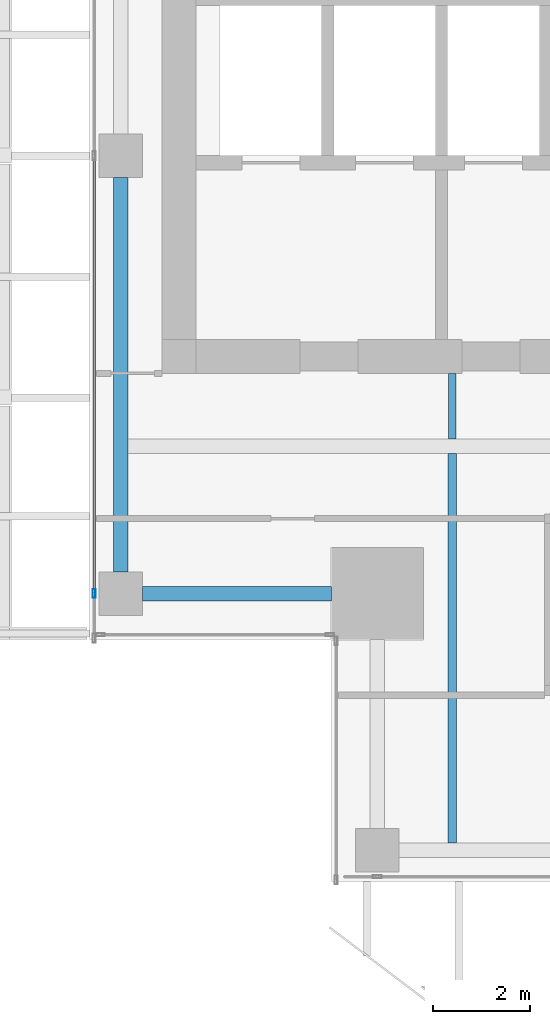
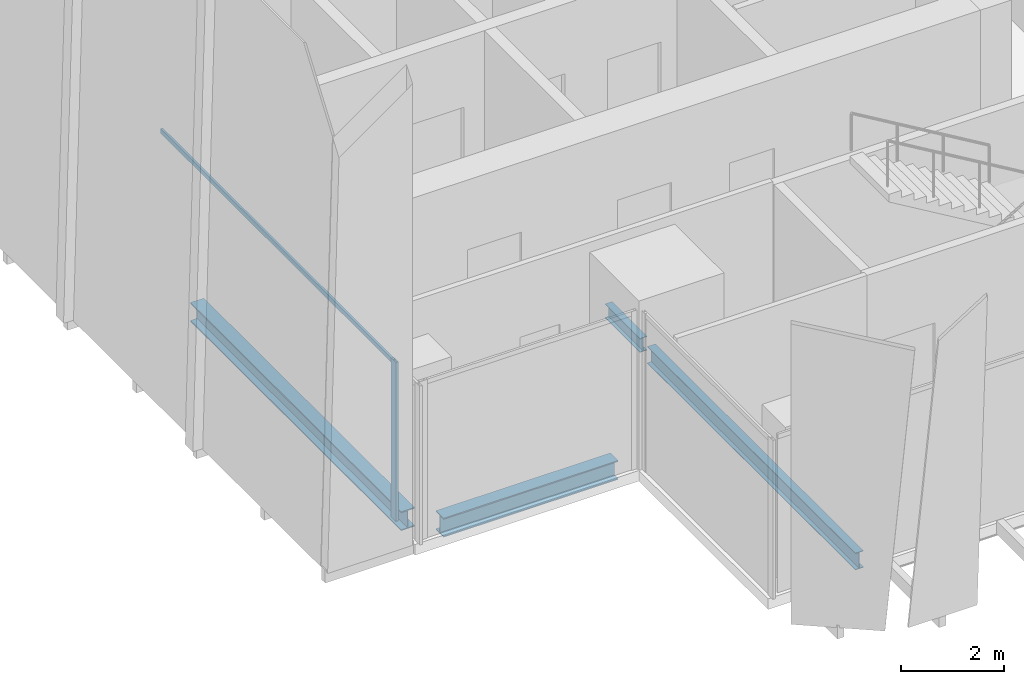
# One storey, part 3 of 35: 4 beams, 2 members, 1 element without a shape of its own.
"""IFC4 building model written with IfcOpenShell, lengths in metres."""

from ifc_helpers import new_model, si_unit, direction, frame, origin, origin_2d, place, context, subcontext, project, spatial, hollow_rectangle, i_section, extrude, source, transform, mapped, material, material_profile, profile_set, type_object, element, aggregate, save


model = new_model("IFC4")

# Units and contexts
model_context = context("Model", 3, precision=1e-05, world=origin(), true_north=direction((0.0, 1.0)))
body_context = subcontext(model_context, "Body", "Model", "MODEL_VIEW")
ifc_project = project(units=[si_unit("LENGTHUNIT", "METRE"), si_unit("AREAUNIT", "SQUARE_METRE"), si_unit("VOLUMEUNIT", "CUBIC_METRE"), si_unit("PLANEANGLEUNIT", "RADIAN"), si_unit("MASSUNIT", "GRAM", prefix="KILO")], contexts=[model_context])

# Site, building, storey
site_placement = place(None, origin())
site = spatial("IfcSite", under=ifc_project, at=site_placement, CompositionType="ELEMENT")
building_placement = place(site_placement, origin())
building = spatial("IfcBuilding", under=site, at=building_placement, Name="Khomas Fold Tower", CompositionType="ELEMENT")
storey_placement = place(building_placement, frame((0.0, 0.0, 246.199951171875)))
storey = spatial("IfcBuildingStorey", under=building, at=storey_placement, Name="L55", CompositionType="ELEMENT", Elevation=246.199951171875)

# Beams
ifc_material_1 = material(Name="Steel S355", Category="steel")
ifc_material_profile_1 = material_profile(ifc_material_1, i_section(OverallWidth=0.159912109375, OverallDepth=0.330078125, WebThickness=0.007568359375, FlangeThickness=0.011474609375, at=origin_2d()), Name="IPE 330")
ifc_profile_set_1 = profile_set([ifc_material_profile_1], Name="Steel S355")
beam_type_1 = type_object("IfcBeamType", Name="IPE 330 beam JB1", PredefinedType="BEAM", material=ifc_profile_set_1)
shared_shape_1 = source(origin(), body_context, "Body", "SweptSolid", [
    extrude(i_section(OverallWidth=0.159912109375, OverallDepth=0.330078125, WebThickness=0.007568359375, FlangeThickness=0.011474609375, at=origin_2d()), origin(), (0.0, 0.0, 1.0), 1.35009765625),
])
beam_1_placement = place(storey_placement, frame((12.0, 13.64990234375, -0.4150390625), z_axis=(0.0, 1.0, 0.0), x_axis=(-1.0, 0.0, 0.0)))
element("IfcBeam", 1, at=beam_1_placement, inside=storey, type_object=beam_type_1, Name="JB1", PredefinedType="BEAM", context=body_context, shape_type="MappedRepresentation", body=[
    mapped(shared_shape_1, transform((0.0, 0.0, 0.0))),
])
ifc_material_2 = material(Name="Steel S355", Category="steel")
ifc_material_profile_2 = material_profile(ifc_material_2, i_section(OverallWidth=0.300048828125, OverallDepth=0.449951171875, WebThickness=0.013916015625, FlangeThickness=0.02587890625, at=origin_2d()), Name="HE 450 B")
ifc_profile_set_2 = profile_set([ifc_material_profile_2], Name="Steel S355")
beam_type_2 = type_object("IfcBeamType", Name="HE 450 B spandrel SB4", PredefinedType="SPANDREL", material=ifc_profile_set_2)
shared_shape_2 = source(origin(), body_context, "Body", "SweptSolid", [
    extrude(i_section(OverallWidth=0.300048828125, OverallDepth=0.449951171875, WebThickness=0.013916015625, FlangeThickness=0.02587890625, at=origin_2d()), origin(), (0.0, 0.0, 1.0), 8.150146484375),
])
beam_2_placement = place(storey_placement, frame((5.14990234375, 10.89990234375, -0.474853515625), z_axis=(0.0, 1.0, 0.0), x_axis=(-1.0, 0.0, 0.0)))
element("IfcBeam", 2, at=beam_2_placement, inside=storey, type_object=beam_type_2, Name="SB4", PredefinedType="SPANDREL", context=body_context, shape_type="MappedRepresentation", body=[
    mapped(shared_shape_2, transform((0.0, 0.0, 0.0))),
])
shared_shape_3 = source(origin(), body_context, "Body", "SweptSolid", [
    extrude(i_section(OverallWidth=0.300048828125, OverallDepth=0.449951171875, WebThickness=0.013916015625, FlangeThickness=0.02587890625, at=origin_2d()), origin(), (0.0, 0.0, 1.0), 3.89990234375),
])
beam_3_placement = place(storey_placement, frame((5.60009765625, 10.449951171875, -0.474853515625), z_axis=(1.0, 0.0, 0.0), x_axis=(0.0, 1.0, 0.0)))
element("IfcBeam", 3, at=beam_3_placement, inside=storey, type_object=beam_type_2, Name="SB4", PredefinedType="SPANDREL", context=body_context, shape_type="MappedRepresentation", body=[
    mapped(shared_shape_3, transform((0.0, 0.0, 0.0))),
])
ifc_material_3 = material(Name="Steel S355", Category="steel")
ifc_material_profile_3 = material_profile(ifc_material_3, i_section(OverallWidth=0.179931640625, OverallDepth=0.39990234375, WebThickness=0.008544921875, FlangeThickness=0.013427734375, at=origin_2d()), Name="IPE 400")
ifc_profile_set_3 = profile_set([ifc_material_profile_3], Name="Steel S355")
beam_type_3 = type_object("IfcBeamType", Name="IPE 400 beam JB3", PredefinedType="BEAM", material=ifc_profile_set_3)
shared_shape_4 = source(origin(), body_context, "Body", "SweptSolid", [
    extrude(i_section(OverallWidth=0.179931640625, OverallDepth=0.39990234375, WebThickness=0.008544921875, FlangeThickness=0.013427734375, at=origin_2d()), origin(), (0.0, 0.0, 1.0), 8.050048828125),
])
beam_4_placement = place(storey_placement, frame((12.0, 5.300048828125, -0.449951171875), z_axis=(0.0, 1.0, 0.0), x_axis=(-1.0, 0.0, 0.0)))
element("IfcBeam", 4, at=beam_4_placement, inside=storey, type_object=beam_type_3, Name="JB3", PredefinedType="BEAM", context=body_context, shape_type="MappedRepresentation", body=[
    mapped(shared_shape_4, transform((0.0, 0.0, 0.0))),
])

# Curtain wall, members
ifc_material_4 = material(Name="Aluminium framed double glazing", Category="aluminium")
curtain_wall_type = type_object("IfcCurtainWallType", Name="SK-Unitised clear-glass wall, office floors CW2", PredefinedType="NOTDEFINED", material=ifc_material_4)
curtain_wall_placement = place(storey_placement, origin())
curtain_wall = element("IfcCurtainWall", 5, at=curtain_wall_placement, inside=storey, type_object=curtain_wall_type, Name="CW2 run L55 09-0", PredefinedType="NOTDEFINED")
ifc_material_5 = material(Name="Aluminium", Category="aluminium")
ifc_material_profile_4 = material_profile(ifc_material_5, hollow_rectangle(XDim=0.06005859375, YDim=0.179931640625, WallThickness=0.00390625, at=origin_2d()), Name="SK-Unitised clear-glass wall, office floors mullion CW2-M")
ifc_profile_set_4 = profile_set([ifc_material_profile_4], Name="Aluminium")
member_type_1 = type_object("IfcMemberType", Name="SK-Unitised clear-glass wall, office floors mullion CW2-M", PredefinedType="MULLION", material=ifc_profile_set_4)
shared_shape_5 = source(origin(), body_context, "Body", "SweptSolid", [
    extrude(hollow_rectangle(XDim=0.06005859375, YDim=0.179931640625, WallThickness=0.00390625, at=origin_2d()), origin(), (0.0, 0.0, 1.0), 3.75),
])
member_1_placement = place(storey_placement, frame((4.60009765625, 10.449951171875, 0.0), z_axis=(0.0, 0.0, 1.0), x_axis=(1.0, 0.0, 0.0)))
member_1 = element("IfcMember", 6, at=member_1_placement, type_object=member_type_1, Name="CW2 mullion 6", PredefinedType="MULLION", context=body_context, shape_type="MappedRepresentation", body=[
    mapped(shared_shape_5, transform((0.0, 0.0, 0.0))),
])
ifc_material_6 = material(Name="Aluminium", Category="aluminium")
ifc_material_profile_5 = material_profile(ifc_material_6, hollow_rectangle(XDim=0.050048828125, YDim=0.110107421875, WallThickness=0.00390625, at=origin_2d()), Name="SK-Unitised clear-glass wall, office floors transom CW2-T")
ifc_profile_set_5 = profile_set([ifc_material_profile_5], Name="Aluminium")
member_type_2 = type_object("IfcMemberType", Name="SK-Unitised clear-glass wall, office floors transom CW2-T", PredefinedType="USERDEFINED", material=ifc_profile_set_5)
shared_shape_6 = source(origin(), body_context, "Body", "SweptSolid", [
    extrude(hollow_rectangle(XDim=0.050048828125, YDim=0.110107421875, WallThickness=0.00390625, at=origin_2d()), origin(), (0.0, 0.0, 1.0), 8.989990234375),
])
member_2_placement = place(storey_placement, frame((4.60009765625, 19.469970703125, 3.695068359375), z_axis=(0.0, -1.0, 0.0), x_axis=(1.0, 0.0, 0.0)))
member_2 = element("IfcMember", 7, at=member_2_placement, type_object=member_type_2, Name="CW2 transom 5", ObjectType="TRANSOM", PredefinedType="USERDEFINED", context=body_context, shape_type="MappedRepresentation", body=[
    mapped(shared_shape_6, transform((0.0, 0.0, 0.0))),
])
aggregate(curtain_wall, [member_1, member_2])

save(model, "model.ifc")
